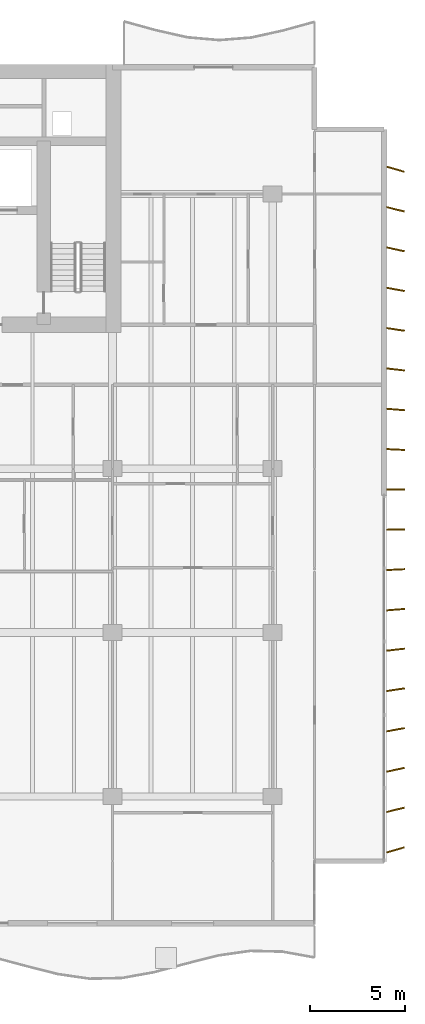
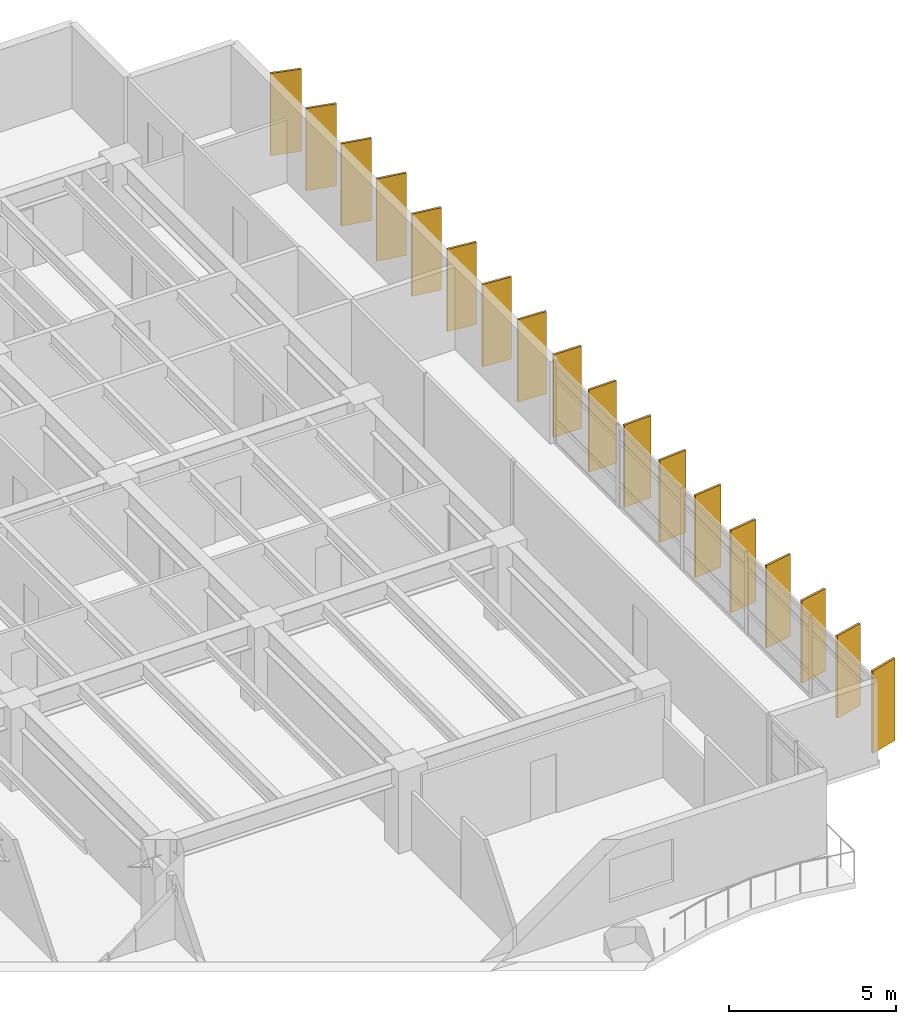
# One storey, part 19 of 19: 18 shading devices.
"""IFC4 building model written with IfcOpenShell, lengths in metres."""

import ifcopenshell
import ifcopenshell.guid

model = None  # the IFC model being written
_history = None  # IfcOwnerHistory: only IFC2X3 demands one
_inside = {}  # id of a spatial element -> (the spatial element, [elements in it])
_under = {}  # id of a project, library or spatial element -> (it, [spatial elements below it])
_declared = {}  # id of a project -> (the project, [libraries it declares])
_typed = {}  # id of a type object -> (the type object, [elements of that type])
_made_of = {}  # id of a material, layer set ... -> (it, [elements and type objects made of it])


def new_model(schema):
    """Start an empty IFC model of exactly this schema.

    Asked for "IFC4X3", IfcOpenShell would pick the latest addendum, in which some entities
    have other attributes; the version numbers below select the first issue.
    IFC2X3 requires an IfcOwnerHistory on every rooted entity: one is made here for all.
    """
    global model, _history
    if schema == "IFC4X3":
        model = ifcopenshell.file(schema_version=(4, 3, 0, 0))
    else:
        model = ifcopenshell.file(schema=schema)
    _inside.clear()
    _under.clear()
    _declared.clear()
    _typed.clear()
    _made_of.clear()
    _history = None
    if model.schema == "IFC2X3":
        org = make("IfcOrganization", Name="unknown")
        user = make(
            "IfcPersonAndOrganization",
            ThePerson=make("IfcPerson", FamilyName="unknown"),
            TheOrganization=org,
        )
        app = make(
            "IfcApplication",
            ApplicationDeveloper=org,
            Version="unknown",
            ApplicationFullName="unknown",
            ApplicationIdentifier="unknown",
        )
        _history = make(
            "IfcOwnerHistory",
            OwningUser=user,
            OwningApplication=app,
            ChangeAction="ADDED",
            CreationDate=0,
        )
    return model


def make(cls, **values):
    """One entity of the class cls with the attributes given. An attribute that is None is left unset."""
    return model.create_entity(
        cls, **{name: value for name, value in values.items() if value is not None}
    )


def rooted(cls, **values):
    """An entity with a GlobalId (a new one), such as an element, a storey or a relation."""
    return make(cls, GlobalId=ifcopenshell.guid.new(), OwnerHistory=_history, **values)


def si_unit(unit_type, name, prefix=None):
    """IfcSIUnit, for example si_unit("LENGTHUNIT", "METRE", prefix="MILLI")."""
    return make("IfcSIUnit", UnitType=unit_type, Prefix=prefix, Name=name)


def assignment(units):
    """IfcUnitAssignment: the units of a project."""
    return None if units is None else make("IfcUnitAssignment", Units=units)


def point(xyz):
    """IfcCartesianPoint."""
    return None if xyz is None else make("IfcCartesianPoint", Coordinates=xyz)


def direction(xyz):
    """IfcDirection."""
    return None if xyz is None else make("IfcDirection", DirectionRatios=xyz)


def frame(location, z_axis=None, x_axis=None):
    """IfcAxis2Placement3D, a coordinate frame: its origin and axes. An axis left out is left unset."""
    return make(
        "IfcAxis2Placement3D",
        Location=point(location),
        Axis=direction(z_axis),
        RefDirection=direction(x_axis),
    )


def frame_2d(location, x_axis=None):
    """IfcAxis2Placement2D, a coordinate frame in the plane: its origin and x axis."""
    return make(
        "IfcAxis2Placement2D", Location=point(location), RefDirection=direction(x_axis)
    )


def origin():
    """The frame at (0, 0, 0) with its axes left unset."""
    return frame((0.0, 0.0, 0.0))


def origin_2d():
    """The frame at (0, 0) in the plane with its x axis left unset."""
    return frame_2d((0.0, 0.0))


def place(relative_to, where):
    """IfcLocalPlacement: puts the frame where relative to a parent placement (None: the world)."""
    return make(
        "IfcLocalPlacement", PlacementRelTo=relative_to, RelativePlacement=where
    )


def context(
    kind, dimensions, precision=None, world=None, true_north=None, identifier=None
):
    """IfcGeometricRepresentationContext, for example the 3D "Model" context."""
    return make(
        "IfcGeometricRepresentationContext",
        ContextIdentifier=identifier,
        ContextType=kind,
        CoordinateSpaceDimension=dimensions,
        Precision=precision,
        WorldCoordinateSystem=world,
        TrueNorth=true_north,
    )


def subcontext(parent, identifier, kind, view, scale=None):
    """IfcGeometricRepresentationSubContext, for example "Body" below "Model"."""
    return make(
        "IfcGeometricRepresentationSubContext",
        ContextIdentifier=identifier,
        ContextType=kind,
        ParentContext=parent,
        TargetScale=scale,
        TargetView=view,
    )


def project(units=None, contexts=None):
    """IfcProject with its units and contexts."""
    return rooted(
        "IfcProject",
        Name="project",
        RepresentationContexts=contexts,
        UnitsInContext=assignment(units),
    )


def spatial(cls, under=None, at=None, **own):
    """A site, building, storey or space (cls), placed at a placement, below another one or the project."""
    s = rooted(cls, ObjectPlacement=at, **own)
    if under is not None:
        _under.setdefault(under.id(), (under, []))[1].append(s)
    return s


def profile(cls, at=None, kind="AREA", **sizes):
    """A parametric profile (cls). Its sizes go by their IFC names, for example OverallWidth=200.0."""
    return make(cls, ProfileType=kind, Position=at, **sizes)


def rectangle(**sizes):
    """IfcRectangleProfileDef."""
    return profile("IfcRectangleProfileDef", **sizes)


def extrude(swept, where, along, depth):
    """IfcExtrudedAreaSolid: the profile swept, set in the frame where, extruded along a direction by depth."""
    return make(
        "IfcExtrudedAreaSolid",
        SweptArea=swept,
        Position=where,
        ExtrudedDirection=direction(along),
        Depth=depth,
    )


def shape(context_of_items, identifier, shape_type, items):
    """IfcShapeRepresentation: the items that make up one representation, for example the "Body"."""
    return make(
        "IfcShapeRepresentation",
        ContextOfItems=context_of_items,
        RepresentationIdentifier=identifier,
        RepresentationType=shape_type,
        Items=items,
    )


def material(Name=None, Category=None):
    """IfcMaterial."""
    return make("IfcMaterial", Name=Name, Category=Category)


def material_profile(
    of_material, cross_section, Name=None, Category=None, Priority=None
):
    """IfcMaterialProfile: a cross section and its material."""
    return make(
        "IfcMaterialProfile",
        Name=Name,
        Material=of_material,
        Profile=cross_section,
        Priority=Priority,
        Category=Category,
    )


def profile_set(profiles, Name=None, composite=None):
    """IfcMaterialProfileSet."""
    return make(
        "IfcMaterialProfileSet",
        Name=Name,
        MaterialProfiles=profiles,
        CompositeProfile=composite,
    )


def made_of(thing, what):
    """Note that an element or type object is made of a material, layer set ...; save() writes the relation."""
    if what is not None:
        _made_of.setdefault(what.id(), (what, []))[1].append(thing)
    return thing


def type_object(cls, material=None, **own):
    """A type object (cls), such as IfcWallType, which elements share."""
    return made_of(rooted(cls, **own), material)


def element(
    cls,
    number,
    at=None,
    inside=None,
    cuts=None,
    type_object=None,
    material=None,
    context=None,
    identifier="Body",
    shape_type=None,
    held_by="IfcProductDefinitionShape",
    body=None,
    shapes=None,
    **own,
):
    """One element of the class cls, such as IfcWall. Its Tag is "e" and its number.

    at: its placement. inside: the storey or other place that contains it. cuts: it is an
    opening in that element (IfcRelVoidsElement). A single representation is given by context,
    identifier, shape_type and body (its items); several are given by shapes. held_by: the class
    of the entity that holds the representations. save() writes the other relations.
    """
    e = rooted(cls, Tag="e%d" % number, ObjectPlacement=at, **own)
    if body is not None:
        shapes = [shape(context, identifier, shape_type, body)]
    if shapes is not None:
        e.Representation = make(held_by, Representations=shapes)
    if inside is not None:
        _inside.setdefault(inside.id(), (inside, []))[1].append(e)
    if cuts is not None:
        rooted(
            "IfcRelVoidsElement", RelatingBuildingElement=cuts, RelatedOpeningElement=e
        )
    if type_object is not None:
        _typed.setdefault(type_object.id(), (type_object, []))[1].append(e)
    return made_of(e, material)


def aggregate(whole, parts):
    """IfcRelAggregates: a whole, such as a stair, and the parts it consists of."""
    return rooted("IfcRelAggregates", RelatingObject=whole, RelatedObjects=parts)


def save(model, path):
    """Write the relations noted so far, then the file.

    IfcRelAggregates (storeys below a building ...), IfcRelContainedInSpatialStructure (elements
    in a storey), IfcRelDefinesByType, IfcRelAssociatesMaterial and IfcRelDeclares: one each for
    every whole, place, type object, material and project.
    """
    for whole, parts in _under.values():
        aggregate(whole, parts)
    for where, things in _inside.values():
        rooted(
            "IfcRelContainedInSpatialStructure",
            RelatedElements=things,
            RelatingStructure=where,
        )
    for kind, things in _typed.values():
        rooted("IfcRelDefinesByType", RelatedObjects=things, RelatingType=kind)
    for what, things in _made_of.values():
        rooted("IfcRelAssociatesMaterial", RelatedObjects=things, RelatingMaterial=what)
    for by, libraries in _declared.values():
        rooted("IfcRelDeclares", RelatingContext=by, RelatedDefinitions=libraries)
    model.write(path)


model = new_model("IFC4")

# Units and contexts
model_context = context("Model", 3, precision=1e-05, world=origin(), true_north=direction((0.0, 1.0)))
body_context = subcontext(model_context, "Body", "Model", "MODEL_VIEW")
ifc_project = project(units=[si_unit("LENGTHUNIT", "METRE"), si_unit("AREAUNIT", "SQUARE_METRE"), si_unit("VOLUMEUNIT", "CUBIC_METRE"), si_unit("PLANEANGLEUNIT", "RADIAN"), si_unit("MASSUNIT", "GRAM", prefix="KILO")], contexts=[model_context])

# Site, building, storey
site_placement = place(None, origin())
site = spatial("IfcSite", under=ifc_project, at=site_placement, CompositionType="ELEMENT")
building_placement = place(site_placement, origin())
building = spatial("IfcBuilding", under=site, at=building_placement, Name="Caelmar Bay Residences", CompositionType="ELEMENT")
storey_placement = place(building_placement, frame((0.0, 0.0, 94.5)))
storey = spatial("IfcBuildingStorey", under=building, at=storey_placement, Name="L25", CompositionType="ELEMENT", Elevation=94.5)

# Shading devices
ifc_material = material(Name="Anodised architectural bronze aluminium 6063-T6", Category="aluminium")
ifc_material_profile = material_profile(ifc_material, rectangle(XDim=0.074951171875, YDim=0.949951171875, at=origin_2d()), Name="BRONZE-FIN-75X950")
ifc_profile_set = profile_set([ifc_material_profile], Name="Anodised architectural bronze aluminium 6063-T6")
shading_device_type = type_object("IfcShadingDeviceType", Name="SHD-FIN-950", PredefinedType="USERDEFINED", material=ifc_profile_set)
for number, where, z_axis, x_axis, name in (
    (1, (74.35009765625, 9.39990234375, 0.0), (0.0, 0.0, 1.0), (-0.275637355817, 0.961261695938, 0.0), "L25 East Bronze Solar Fin 1"),
    (2, (74.35009765625, 11.5, 0.0), (0.0, 0.0, 1.0), (-0.243953546137, 0.969786918517, 0.0), "L25 East Bronze Solar Fin 2"),
    (3, (74.35009765625, 13.60009765625, 0.0), (0.0, 0.0, 1.0), (-0.212007109922, 0.977268123568, 0.0), "L25 East Bronze Solar Fin 3"),
    (4, (74.35009765625, 15.699951171875, 0.0), (0.0, 0.0, 1.0), (-0.179660748593, 0.98372862895, 0.0), "L25 East Bronze Solar Fin 4"),
    (5, (74.35009765625, 17.800048828125, 0.0), (0.0, 0.0, 1.0), (-0.147291543397, 0.989093120613, 0.0), "L25 East Bronze Solar Fin 5"),
    (6, (74.35009765625, 19.89990234375, 0.0), (0.0, 0.0, 1.0), (-0.114763772489, 0.993392810787, 0.0), "L25 East Bronze Solar Fin 6"),
    (7, (74.35009765625, 22.0, 0.0), (0.0, 0.0, 1.0), (-0.08211245342, 0.996623070671, 0.0), "L25 East Bronze Solar Fin 7"),
    (8, (74.35009765625, 24.10009765625, 0.0), (0.0, 0.0, 1.0), (-0.049198415926, 0.998789024705, 0.0), "L25 East Bronze Solar Fin 8"),
    (9, (74.35009765625, 26.199951171875, 0.0), (0.0, 0.0, 1.0), (-0.016405359001, 0.999865423043, 0.0), "L25 East Bronze Solar Fin 9"),
    (10, (74.35009765625, 28.300048828125, 0.0), (0.0, 0.0, 1.0), (0.016405359001, 0.999865423043, 0.0), "L25 East Bronze Solar Fin 10"),
    (11, (74.35009765625, 30.39990234375, 0.0), (0.0, 0.0, 1.0), (0.049198415926, 0.998789024705, 0.0), "L25 East Bronze Solar Fin 11"),
    (12, (74.35009765625, 32.5, 0.0), (0.0, 0.0, 1.0), (0.08211245342, 0.996623070671, 0.0), "L25 East Bronze Solar Fin 12"),
    (13, (74.35009765625, 34.60009765625, 0.0), (0.0, 0.0, 1.0), (0.114763772489, 0.993392810787, 0.0), "L25 East Bronze Solar Fin 13"),
    (14, (74.35009765625, 36.699951171875, 0.0), (0.0, 0.0, 1.0), (0.147291543397, 0.989093120613, 0.0), "L25 East Bronze Solar Fin 14"),
    (15, (74.35009765625, 38.800048828125, 0.0), (0.0, 0.0, 1.0), (0.179660748593, 0.98372862895, 0.0), "L25 East Bronze Solar Fin 15"),
    (16, (74.35009765625, 40.89990234375, 0.0), (0.0, 0.0, 1.0), (0.212007109922, 0.977268123568, 0.0), "L25 East Bronze Solar Fin 16"),
    (17, (74.35009765625, 43.0, 0.0), (0.0, 0.0, 1.0), (0.243953546137, 0.969786918517, 0.0), "L25 East Bronze Solar Fin 17"),
    (18, (74.35009765625, 45.10009765625, 0.0), (0.0, 0.0, 1.0), (0.275637355817, 0.961261695938, 0.0), "L25 East Bronze Solar Fin 18"),
):
    element("IfcShadingDevice", number, at=place(storey_placement, frame(where, z_axis=z_axis, x_axis=x_axis)), inside=storey, type_object=shading_device_type, Name=name, ObjectType="FIN", PredefinedType="USERDEFINED", context=body_context, shape_type="SweptSolid", body=[
        extrude(rectangle(XDim=0.074951171875, YDim=0.949951171875, at=origin_2d()), origin(), (0.0, 0.0, 1.0), 3.0),
    ])

save(model, "model.ifc")
